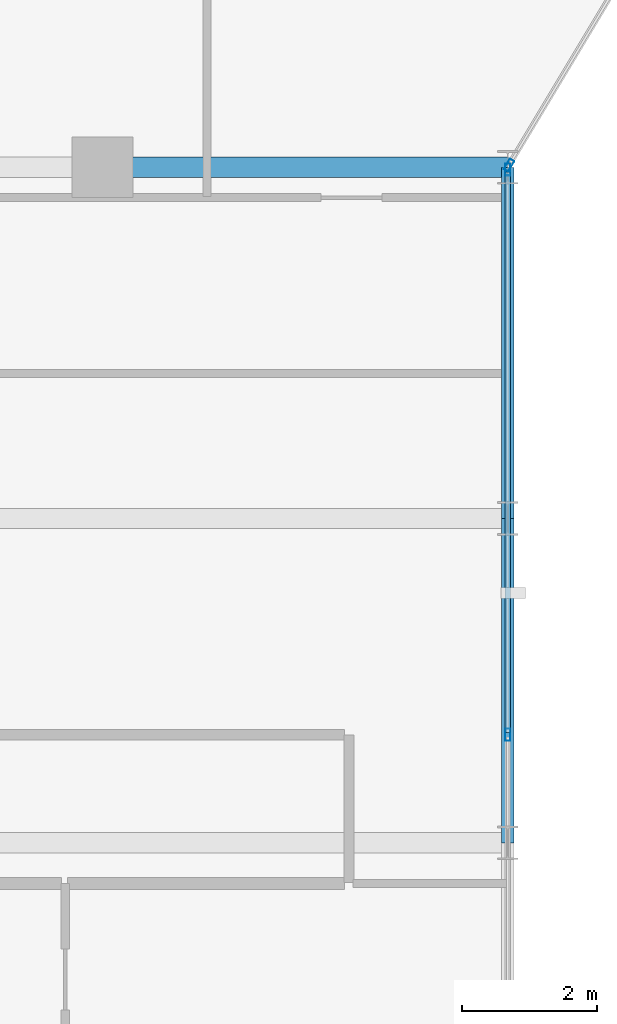
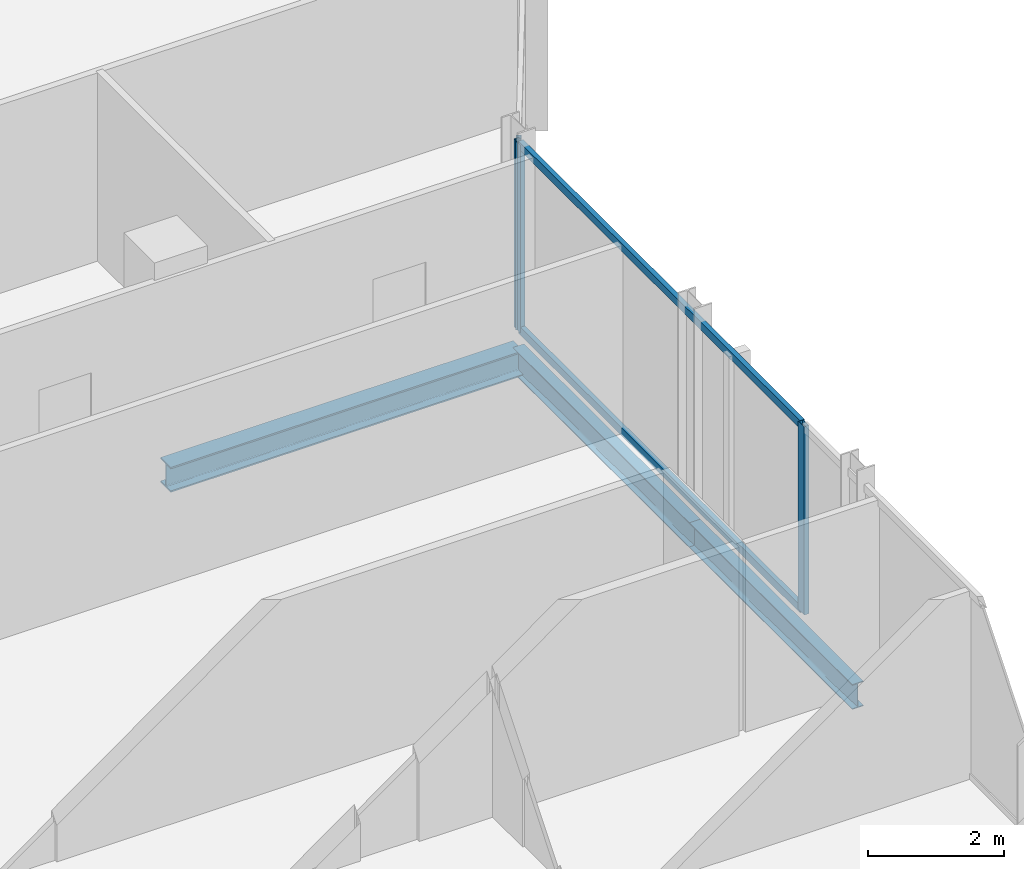
# One storey, part 13 of 31: 5 members, 3 beams, 2 elements without a shape of their own.
"""IFC4 building model written with IfcOpenShell, lengths in metres."""

from ifc_helpers import new_model, si_unit, direction, frame, origin, origin_2d, place, context, subcontext, project, spatial, hollow_rectangle, i_section, extrude, material, layer, layer_set, material_profile, profile_set, type_object, element, aggregate, save


model = new_model("IFC4")

# Units and contexts
model_context = context("Model", 3, precision=1e-05, world=origin(), true_north=direction((0.0, 1.0)))
body_context = subcontext(model_context, "Body", "Model", "MODEL_VIEW")
ifc_project = project(units=[si_unit("LENGTHUNIT", "METRE"), si_unit("AREAUNIT", "SQUARE_METRE"), si_unit("VOLUMEUNIT", "CUBIC_METRE"), si_unit("PLANEANGLEUNIT", "RADIAN"), si_unit("MASSUNIT", "GRAM", prefix="KILO")], contexts=[model_context])

# Site, building, storey
site_placement = place(None, origin())
site = spatial("IfcSite", under=ifc_project, at=site_placement, CompositionType="ELEMENT")
building_placement = place(site_placement, origin())
building = spatial("IfcBuilding", under=site, at=building_placement, Name="Keshet Zoharim Tower", CompositionType="ELEMENT")
storey_placement = place(building_placement, frame((0.0, 0.0, 148.300048828125)))
storey = spatial("IfcBuildingStorey", under=building, at=storey_placement, Name="L36", CompositionType="ELEMENT", Elevation=148.300048828125)

# Beams
ifc_material_1 = material(Name="Steel S355", Category="steel")
ifc_material_profile_1 = material_profile(ifc_material_1, i_section(OverallWidth=0.18994140625, OverallDepth=0.449951171875, WebThickness=0.009521484375, FlangeThickness=0.0146484375, FilletRadius=0.02099609375, at=origin_2d()), Name="IPE450")
ifc_profile_set_1 = profile_set([ifc_material_profile_1], Name="Steel S355")
beam_type_1 = type_object("IfcBeamType", Name="BM-PRI-IP450", PredefinedType="BEAM", material=ifc_profile_set_1)
beam_1_placement = place(storey_placement, frame((57.0, 17.89990234375, -0.5400390625), z_axis=(0.0, 1.0, 0.0), x_axis=(-1.0, 0.0, 0.0)))
element("IfcBeam", 1, at=beam_1_placement, inside=storey, type_object=beam_type_1, Name="L36 Primary Girder Y-015", PredefinedType="BEAM", context=body_context, shape_type="SweptSolid", body=[
    extrude(i_section(OverallWidth=0.18994140625, OverallDepth=0.449951171875, WebThickness=0.009521484375, FlangeThickness=0.0146484375, FilletRadius=0.02099609375, at=origin_2d()), origin(), (0.0, 0.0, 1.0), 4.800048828125),
])
beam_2_placement = place(storey_placement, frame((57.0, 22.699951171875, -0.5400390625), z_axis=(0.0, 1.0, 0.0), x_axis=(-1.0, 0.0, 0.0)))
element("IfcBeam", 2, at=beam_2_placement, inside=storey, type_object=beam_type_1, Name="L36 Primary Girder Y-016", PredefinedType="BEAM", context=body_context, shape_type="SweptSolid", body=[
    extrude(i_section(OverallWidth=0.18994140625, OverallDepth=0.449951171875, WebThickness=0.009521484375, FlangeThickness=0.0146484375, FilletRadius=0.02099609375, at=origin_2d()), origin(), (0.0, 0.0, 1.0), 5.199951171875),
])
ifc_material_profile_2 = material_profile(ifc_material_1, i_section(OverallWidth=0.300048828125, OverallDepth=0.449951171875, WebThickness=0.013916015625, FlangeThickness=0.02587890625, FilletRadius=0.027099609375, at=origin_2d()), Name="HEB450")
ifc_profile_set_2 = profile_set([ifc_material_profile_2], Name="Steel S355")
beam_type_2 = type_object("IfcBeamType", Name="BM-WEB-HB450", PredefinedType="BEAM", material=ifc_profile_set_2)
beam_3_placement = place(storey_placement, frame((51.0, 27.89990234375, -0.5400390625), z_axis=(1.0, 0.0, 0.0), x_axis=(0.0, 1.0, 0.0)))
element("IfcBeam", 3, at=beam_3_placement, inside=storey, type_object=beam_type_2, Name="L36 Primary Girder X-017", PredefinedType="BEAM", context=body_context, shape_type="SweptSolid", body=[
    extrude(i_section(OverallWidth=0.300048828125, OverallDepth=0.449951171875, WebThickness=0.013916015625, FlangeThickness=0.02587890625, FilletRadius=0.027099609375, at=origin_2d()), origin(), (0.0, 0.0, 1.0), 6.0),
])

# Curtain wall, member
ifc_material_2 = material(Name="Aluminium 6063-T6", Category="aluminium")
ifc_layer = layer(ifc_material_2, 0.159912109375)
ifc_layer_set = layer_set([ifc_layer], Name="Aluminium 6063-T6")
curtain_wall_type = type_object("IfcCurtainWallType", Name="CW-SYS-03", PredefinedType="NOTDEFINED", material=ifc_layer_set)
curtain_wall_1_placement = place(storey_placement, origin())
curtain_wall_1 = element("IfcCurtainWall", 4, at=curtain_wall_1_placement, inside=storey, type_object=curtain_wall_type, Name="L36 Unitised Curtain Wall 18", PredefinedType="NOTDEFINED")
ifc_material_profile_3 = material_profile(ifc_material_2, hollow_rectangle(XDim=0.080078125, YDim=0.179931640625, WallThickness=0.00439453125, at=origin_2d()), Name="MUL-80x180")
ifc_profile_set_3 = profile_set([ifc_material_profile_3], Name="Aluminium 6063-T6")
member_type_1 = type_object("IfcMemberType", Name="CWM-M18", PredefinedType="MULLION", material=ifc_profile_set_3)
member_1_placement = place(storey_placement, frame((57.01806640625, 27.929931640625, 0.0), z_axis=(0.0, 0.0, 1.0), x_axis=(0.857501477862, -0.514481501576, 0.0)))
member_1 = element("IfcMember", 5, at=member_1_placement, type_object=member_type_1, Name="CW-03 mullion 2", PredefinedType="MULLION", context=body_context, shape_type="SweptSolid", body=[
    extrude(hollow_rectangle(XDim=0.080078125, YDim=0.179931640625, WallThickness=0.00439453125, at=origin_2d()), origin(), (0.0, 0.0, 1.0), 3.385009765625),
])
aggregate(curtain_wall_1, [member_1])

# Curtain wall, members
curtain_wall_2_placement = place(storey_placement, origin())
curtain_wall_2 = element("IfcCurtainWall", 6, at=curtain_wall_2_placement, inside=storey, type_object=curtain_wall_type, Name="L36 Unitised Curtain Wall 19", PredefinedType="NOTDEFINED")
member_2_placement = place(storey_placement, frame((57.0, 27.864990234375, 0.0), z_axis=(0.0, 0.0, 1.0), x_axis=(1.0, 0.0, 0.0)))
member_2 = element("IfcMember", 7, at=member_2_placement, type_object=member_type_1, Name="CW-03 mullion 1", PredefinedType="MULLION", context=body_context, shape_type="SweptSolid", body=[
    extrude(hollow_rectangle(XDim=0.080078125, YDim=0.179931640625, WallThickness=0.00439453125, at=origin_2d()), origin(), (0.0, 0.0, 1.0), 3.385009765625),
])
member_3_placement = place(storey_placement, frame((57.0, 19.5, 0.0), z_axis=(0.0, 0.0, 1.0), x_axis=(1.0, 0.0, 0.0)))
member_3 = element("IfcMember", 8, at=member_3_placement, type_object=member_type_1, Name="CW-03 mullion 2", PredefinedType="MULLION", context=body_context, shape_type="SweptSolid", body=[
    extrude(hollow_rectangle(XDim=0.080078125, YDim=0.179931640625, WallThickness=0.00439453125, at=origin_2d()), origin(), (0.0, 0.0, 1.0), 3.385009765625),
])
ifc_material_profile_4 = material_profile(ifc_material_2, hollow_rectangle(XDim=0.080078125, YDim=0.139892578125, WallThickness=0.00390625, at=origin_2d()), Name="TRN-80x140")
ifc_profile_set_4 = profile_set([ifc_material_profile_4], Name="Aluminium 6063-T6")
member_type_2 = type_object("IfcMemberType", Name="CWT-T14", PredefinedType="USERDEFINED", material=ifc_profile_set_4)
member_4_placement = place(storey_placement, frame((57.0, 27.830078125, 0.034912109375), z_axis=(0.0, -1.0, 0.0), x_axis=(1.0, 0.0, 0.0)))
member_4 = element("IfcMember", 9, at=member_4_placement, type_object=member_type_2, Name="CW-03 transom 1.1", ObjectType="TRANSOM", PredefinedType="USERDEFINED", context=body_context, shape_type="SweptSolid", body=[
    extrude(hollow_rectangle(XDim=0.080078125, YDim=0.139892578125, WallThickness=0.00390625, at=origin_2d()), origin(), (0.0, 0.0, 1.0), 8.295166015625),
])
member_5_placement = place(storey_placement, frame((57.0, 27.830078125, 3.349853515625), z_axis=(0.0, -1.0, 0.0), x_axis=(1.0, 0.0, 0.0)))
member_5 = element("IfcMember", 10, at=member_5_placement, type_object=member_type_2, Name="CW-03 transom 1.2", ObjectType="TRANSOM", PredefinedType="USERDEFINED", context=body_context, shape_type="SweptSolid", body=[
    extrude(hollow_rectangle(XDim=0.080078125, YDim=0.139892578125, WallThickness=0.00390625, at=origin_2d()), origin(), (0.0, 0.0, 1.0), 8.295166015625),
])
aggregate(curtain_wall_2, [member_2, member_3, member_4, member_5])

save(model, "model.ifc")
